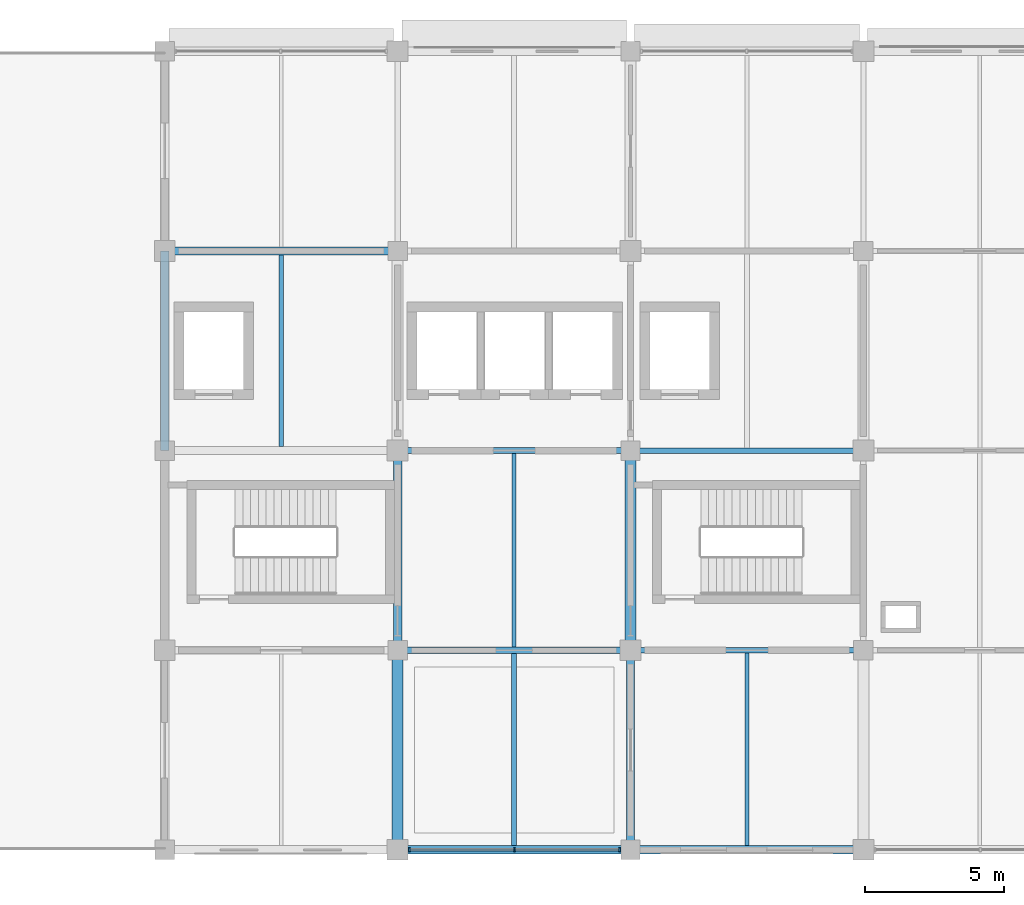
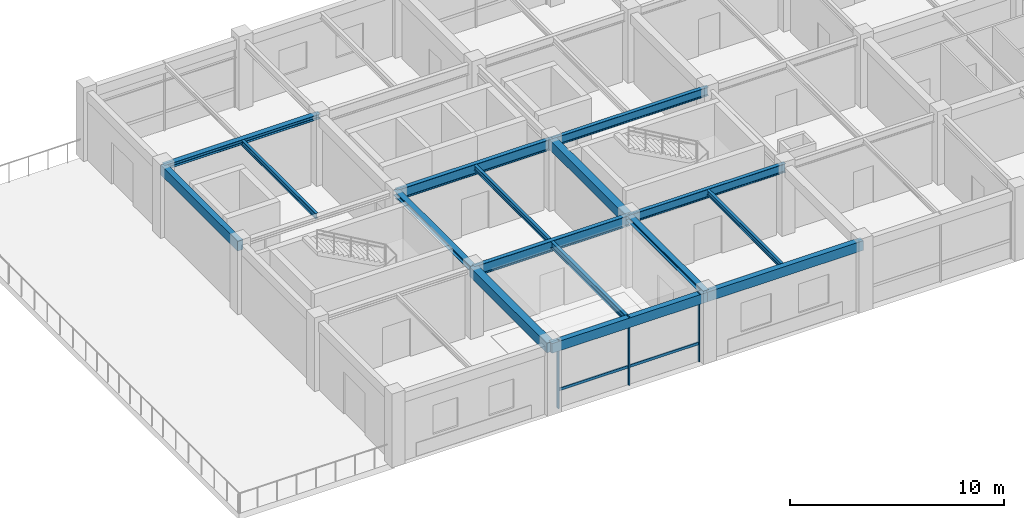
# One storey, part 2 of 10: 16 beams, 5 members, 1 element without a shape of its own.
"""IFC4 building model written with IfcOpenShell, lengths in metres."""

from ifc_helpers import new_model, si_unit, derived_unit, direction, frame, origin, origin_2d, place, context, subcontext, project, spatial, rectangle, i_section, extrude, material, material_profile, profile_set, type_object, element, aggregate, save


model = new_model("IFC4")

# Units and contexts
model_context = context("Model", 3, precision=1e-05, world=origin(), true_north=direction((0.0, 1.0)))
body_context = subcontext(model_context, "Body", "Model", "MODEL_VIEW")
ifc_project = project(units=[si_unit("LENGTHUNIT", "METRE"), si_unit("AREAUNIT", "SQUARE_METRE"), si_unit("VOLUMEUNIT", "CUBIC_METRE"), si_unit("PLANEANGLEUNIT", "RADIAN"), si_unit("MASSUNIT", "GRAM", prefix="KILO"), derived_unit("THERMALTRANSMITTANCEUNIT", [(si_unit("MASSUNIT", "GRAM", prefix="KILO"), 1), (si_unit("TIMEUNIT", "SECOND"), -3), (si_unit("THERMODYNAMICTEMPERATUREUNIT", "KELVIN"), -1)])], contexts=[model_context])

# Site, building, storey
site_placement = place(None, origin())
site = spatial("IfcSite", under=ifc_project, at=site_placement, CompositionType="ELEMENT")
building_placement = place(site_placement, origin())
building = spatial("IfcBuilding", under=site, at=building_placement, Name="Veldstrom Oceanarium and Marine Research Institute", CompositionType="ELEMENT")
storey_placement = place(building_placement, frame((0.0, 0.0, 43.800048828125)))
storey = spatial("IfcBuildingStorey", under=building, at=storey_placement, Name="L09", CompositionType="ELEMENT", Elevation=43.800048828125)

# Curtain wall, members
ifc_material_1 = material(Name="Anodised Aluminium Framing", Category="aluminium")
curtain_wall_type = type_object("IfcCurtainWallType", Name="ARC-CW-CW04", PredefinedType="USERDEFINED", material=ifc_material_1)
curtain_wall_placement = place(storey_placement, origin())
curtain_wall = element("IfcCurtainWall", 1, at=curtain_wall_placement, inside=storey, type_object=curtain_wall_type, Name="Curtain Wall CW04 CW-L09-135", ObjectType="Curtain wall", PredefinedType="USERDEFINED")
ifc_material_2 = material(Name="Anodised Aluminium Framing", Category="aluminium")
ifc_material_profile_1 = material_profile(ifc_material_2, rectangle(XDim=0.06494140625, YDim=0.14990234375, at=origin_2d()), Name="ALU-MUL-65x150")
ifc_profile_set_1 = profile_set([ifc_material_profile_1], Name="Anodised Aluminium Framing")
member_type_1 = type_object("IfcMemberType", Name="ARC-MUL-ML2", PredefinedType="MULLION", material=ifc_profile_set_1)
member_1_placement = place(storey_placement, frame((84.4150390625, 43.199951171875, 0.0), z_axis=(0.0, 0.0, 1.0), x_axis=(1.0, 0.0, 0.0)))
member_1 = element("IfcMember", 2, at=member_1_placement, type_object=member_type_1, Name="Curtain Wall Mullion CW-L09-135-MUL-1", PredefinedType="MULLION", context=body_context, shape_type="SweptSolid", body=[
    extrude(rectangle(XDim=0.06494140625, YDim=0.14990234375, at=origin_2d()), origin(), (0.0, 0.0, 1.0), 3.89990234375),
])
member_2_placement = place(storey_placement, frame((88.21240234375, 43.199951171875, 0.0), z_axis=(0.0, 0.0, 1.0), x_axis=(1.0, 0.0, 0.0)))
member_2 = element("IfcMember", 3, at=member_2_placement, type_object=member_type_1, Name="Curtain Wall Mullion CW-L09-135-MUL-2", PredefinedType="MULLION", context=body_context, shape_type="SweptSolid", body=[
    extrude(rectangle(XDim=0.06494140625, YDim=0.14990234375, at=origin_2d()), origin(), (0.0, 0.0, 1.0), 3.89990234375),
])
member_3_placement = place(storey_placement, frame((92.010009765625, 43.199951171875, 0.0), z_axis=(0.0, 0.0, 1.0), x_axis=(1.0, 0.0, 0.0)))
member_3 = element("IfcMember", 4, at=member_3_placement, type_object=member_type_1, Name="Curtain Wall Mullion CW-L09-135-MUL-3", PredefinedType="MULLION", context=body_context, shape_type="SweptSolid", body=[
    extrude(rectangle(XDim=0.06494140625, YDim=0.14990234375, at=origin_2d()), origin(), (0.0, 0.0, 1.0), 3.89990234375),
])
ifc_material_3 = material(Name="Anodised Aluminium Framing", Category="aluminium")
ifc_material_profile_2 = material_profile(ifc_material_3, rectangle(XDim=0.074951171875, YDim=0.14990234375, at=origin_2d()), Name="ALU-TRN-75x150")
ifc_profile_set_2 = profile_set([ifc_material_profile_2], Name="Anodised Aluminium Framing")
member_type_2 = type_object("IfcMemberType", Name="ARC-TRN-TR1", PredefinedType="USERDEFINED", material=ifc_profile_set_2)
member_4_placement = place(storey_placement, frame((84.455078125, 43.199951171875, 1.050048828125), z_axis=(1.0, 0.0, 0.0), x_axis=(0.0, 1.0, 0.0)))
member_4 = element("IfcMember", 5, at=member_4_placement, type_object=member_type_2, Name="Curtain Wall Transom CW-L09-135-TRN-1", ObjectType="Transom", PredefinedType="USERDEFINED", context=body_context, shape_type="SweptSolid", body=[
    extrude(rectangle(XDim=0.074951171875, YDim=0.14990234375, at=origin_2d()), origin(), (0.0, 0.0, 1.0), 3.717529296875),
])
member_5_placement = place(storey_placement, frame((88.25244140625, 43.199951171875, 1.050048828125), z_axis=(1.0, 0.0, 0.0), x_axis=(0.0, 1.0, 0.0)))
member_5 = element("IfcMember", 6, at=member_5_placement, type_object=member_type_2, Name="Curtain Wall Transom CW-L09-135-TRN-2", ObjectType="Transom", PredefinedType="USERDEFINED", context=body_context, shape_type="SweptSolid", body=[
    extrude(rectangle(XDim=0.074951171875, YDim=0.14990234375, at=origin_2d()), origin(), (0.0, 0.0, 1.0), 3.717529296875),
])
aggregate(curtain_wall, [member_1, member_2, member_3, member_4, member_5])

# Beams
ifc_material_4 = material(Name="Concrete C40/50", Category="concrete")
ifc_material_profile_3 = material_profile(ifc_material_4, rectangle(XDim=0.39990234375, YDim=0.550048828125, at=origin_2d()), Name="RC-BM-400x550")
ifc_profile_set_3 = profile_set([ifc_material_profile_3], Name="Concrete C40/50")
beam_type_1 = type_object("IfcBeamType", Name="STR-BM-B07", PredefinedType="BEAM", material=ifc_profile_set_3)
beam_1_placement = place(storey_placement, frame((84.0, 43.199951171875, 3.619873046875), z_axis=(0.0, 1.0, 0.0), x_axis=(-1.0, 0.0, 0.0)))
element("IfcBeam", 7, at=beam_1_placement, inside=storey, type_object=beam_type_1, Name="Primary Beam B07 L09-2502", PredefinedType="BEAM", context=body_context, shape_type="SweptSolid", body=[
    extrude(rectangle(XDim=0.39990234375, YDim=0.550048828125, at=origin_2d()), origin(), (0.0, 0.0, 1.0), 7.199951171875),
])
beam_2_placement = place(storey_placement, frame((92.39990234375, 50.39990234375, 3.619873046875), z_axis=(0.0, 1.0, 0.0), x_axis=(-1.0, 0.0, 0.0)))
element("IfcBeam", 8, at=beam_2_placement, inside=storey, type_object=beam_type_1, Name="Primary Beam B07 L09-2507", PredefinedType="BEAM", context=body_context, shape_type="SweptSolid", body=[
    extrude(rectangle(XDim=0.39990234375, YDim=0.550048828125, at=origin_2d()), origin(), (0.0, 0.0, 1.0), 7.2001953125),
])
ifc_material_5 = material(Name="Steel S355JR", Category="steel")
ifc_material_profile_4 = material_profile(ifc_material_5, i_section(OverallWidth=0.300048828125, OverallDepth=0.2900390625, WebThickness=0.008544921875, FlangeThickness=0.013916015625, FilletRadius=0.027099609375, at=origin_2d()), Name="HEA 300")
ifc_profile_set_4 = profile_set([ifc_material_profile_4], Name="Steel S355JR")
beam_type_2 = type_object("IfcBeamType", Name="STR-BM-SB10", PredefinedType="BEAM", material=ifc_profile_set_4)
beam_3_placement = place(storey_placement, frame((84.0, 50.39990234375, 3.75), z_axis=(0.0, 1.0, 0.0), x_axis=(-1.0, 0.0, 0.0)))
element("IfcBeam", 9, at=beam_3_placement, inside=storey, type_object=beam_type_2, Name="Steel Tie Beam SB10 L09-2503", PredefinedType="BEAM", context=body_context, shape_type="SweptSolid", body=[
    extrude(i_section(OverallWidth=0.300048828125, OverallDepth=0.2900390625, WebThickness=0.008544921875, FlangeThickness=0.013916015625, FilletRadius=0.027099609375, at=origin_2d()), origin(), (0.0, 0.0, 1.0), 7.2001953125),
])
beam_4_placement = place(storey_placement, frame((92.39990234375, 43.199951171875, 3.75), z_axis=(0.0, 1.0, 0.0), x_axis=(-1.0, 0.0, 0.0)))
element("IfcBeam", 10, at=beam_4_placement, inside=storey, type_object=beam_type_2, Name="Steel Tie Beam SB10 L09-2506", PredefinedType="BEAM", context=body_context, shape_type="SweptSolid", body=[
    extrude(i_section(OverallWidth=0.300048828125, OverallDepth=0.2900390625, WebThickness=0.008544921875, FlangeThickness=0.013916015625, FilletRadius=0.027099609375, at=origin_2d()), origin(), (0.0, 0.0, 1.0), 7.199951171875),
])
ifc_material_6 = material(Name="Steel S355JR", Category="steel")
ifc_material_profile_5 = material_profile(ifc_material_6, i_section(OverallWidth=0.280029296875, OverallDepth=0.27001953125, WebThickness=0.008056640625, FlangeThickness=0.012939453125, FilletRadius=0.02392578125, at=origin_2d()), Name="HEA 280")
ifc_profile_set_5 = profile_set([ifc_material_profile_5], Name="Steel S355JR")
beam_type_3 = type_object("IfcBeamType", Name="STR-BM-SB11", PredefinedType="BEAM", material=ifc_profile_set_5)
beam_5_placement = place(storey_placement, frame((75.60009765625, 64.800048828125, 3.760009765625), z_axis=(1.0, 0.0, 0.0), x_axis=(0.0, 1.0, 0.0)))
element("IfcBeam", 11, at=beam_5_placement, inside=storey, type_object=beam_type_3, Name="Steel Floor Girder SB11 L09-2476", PredefinedType="BEAM", context=body_context, shape_type="SweptSolid", body=[
    extrude(i_section(OverallWidth=0.280029296875, OverallDepth=0.27001953125, WebThickness=0.008056640625, FlangeThickness=0.012939453125, FilletRadius=0.02392578125, at=origin_2d()), origin(), (0.0, 0.0, 1.0), 8.39990234375),
])
ifc_material_7 = material(Name="Steel S355JR", Category="steel")
ifc_material_profile_6 = material_profile(ifc_material_7, i_section(OverallWidth=0.219970703125, OverallDepth=0.60009765625, WebThickness=0.011962890625, FlangeThickness=0.01904296875, FilletRadius=0.02392578125, at=origin_2d()), Name="IPE 600")
ifc_profile_set_6 = profile_set([ifc_material_profile_6], Name="Steel S355JR")
beam_type_4 = type_object("IfcBeamType", Name="STR-BM-SB5", PredefinedType="BEAM", material=ifc_profile_set_6)
for number, where, z_axis, x_axis, name in (
    (12, (84.0, 50.39990234375, 3.594970703125), (1.0, 0.0, 0.0), (0.0, 1.0, 0.0), "Steel Floor Girder SB5 L09-2479"),
    (13, (84.0, 57.60009765625, 3.594970703125), (1.0, 0.0, 0.0), (0.0, 1.0, 0.0), "Steel Floor Girder SB5 L09-2480"),
):
    element("IfcBeam", number, at=place(storey_placement, frame(where, z_axis=z_axis, x_axis=x_axis)), inside=storey, type_object=beam_type_4, Name=name, PredefinedType="BEAM", context=body_context, shape_type="SweptSolid", body=[
        extrude(i_section(OverallWidth=0.219970703125, OverallDepth=0.60009765625, WebThickness=0.011962890625, FlangeThickness=0.01904296875, FilletRadius=0.02392578125, at=origin_2d()), origin(), (0.0, 0.0, 1.0), 8.39990234375),
    ])
ifc_material_8 = material(Name="Steel S355JR", Category="steel")
ifc_material_profile_7 = material_profile(ifc_material_8, i_section(OverallWidth=0.199951171875, OverallDepth=0.5, WebThickness=0.01025390625, FlangeThickness=0.01611328125, FilletRadius=0.02099609375, at=origin_2d()), Name="IPE 500")
ifc_profile_set_7 = profile_set([ifc_material_profile_7], Name="Steel S355JR")
beam_type_5 = type_object("IfcBeamType", Name="STR-BM-SB6", PredefinedType="BEAM", material=ifc_profile_set_7)
for number, where, z_axis, x_axis, name in (
    (14, (92.39990234375, 50.39990234375, 3.64501953125), (1.0, 0.0, 0.0), (0.0, 1.0, 0.0), "Steel Floor Girder SB6 L09-2484"),
    (15, (92.39990234375, 57.60009765625, 3.64501953125), (1.0, 0.0, 0.0), (0.0, 1.0, 0.0), "Steel Floor Girder SB6 L09-2485"),
):
    element("IfcBeam", number, at=place(storey_placement, frame(where, z_axis=z_axis, x_axis=x_axis)), inside=storey, type_object=beam_type_5, Name=name, PredefinedType="BEAM", context=body_context, shape_type="SweptSolid", body=[
        extrude(i_section(OverallWidth=0.199951171875, OverallDepth=0.5, WebThickness=0.01025390625, FlangeThickness=0.01611328125, FilletRadius=0.02099609375, at=origin_2d()), origin(), (0.0, 0.0, 1.0), 8.400146484375),
    ])
ifc_material_9 = material(Name="Steel S355JR", Category="steel")
ifc_material_profile_8 = material_profile(ifc_material_9, i_section(OverallWidth=0.169921875, OverallDepth=0.360107421875, WebThickness=0.008056640625, FlangeThickness=0.0126953125, FilletRadius=0.01806640625, at=origin_2d()), Name="IPE 360")
ifc_profile_set_8 = profile_set([ifc_material_profile_8], Name="Steel S355JR")
beam_type_6 = type_object("IfcBeamType", Name="STR-JST-SJ1", PredefinedType="JOIST", material=ifc_profile_set_8)
beam_6_placement = place(storey_placement, frame((88.199951171875, 43.35009765625, 3.71484375), z_axis=(0.0, 1.0, 0.0), x_axis=(-1.0, 0.0, 0.0)))
element("IfcBeam", 16, at=beam_6_placement, inside=storey, type_object=beam_type_6, Name="Secondary Joist SJ1 L09-2525", PredefinedType="JOIST", context=body_context, shape_type="SweptSolid", body=[
    extrude(i_section(OverallWidth=0.169921875, OverallDepth=0.360107421875, WebThickness=0.008056640625, FlangeThickness=0.0126953125, FilletRadius=0.01806640625, at=origin_2d()), origin(), (0.0, 0.0, 1.0), 6.93994140625),
])
ifc_material_10 = material(Name="Steel S355JR", Category="steel")
ifc_material_profile_9 = material_profile(ifc_material_10, i_section(OverallWidth=0.14990234375, OverallDepth=0.300048828125, WebThickness=0.007080078125, FlangeThickness=0.0107421875, FilletRadius=0.014892578125, at=origin_2d()), Name="IPE 300")
ifc_profile_set_9 = profile_set([ifc_material_profile_9], Name="Steel S355JR")
beam_type_7 = type_object("IfcBeamType", Name="STR-JST-SJ2", PredefinedType="JOIST", material=ifc_profile_set_9)
beam_7_placement = place(storey_placement, frame((79.800048828125, 57.739990234375, 3.744873046875), z_axis=(0.0, 1.0, 0.0), x_axis=(-1.0, 0.0, 0.0)))
element("IfcBeam", 17, at=beam_7_placement, inside=storey, type_object=beam_type_7, Name="Secondary Joist SJ2 L09-2523", PredefinedType="JOIST", context=body_context, shape_type="SweptSolid", body=[
    extrude(i_section(OverallWidth=0.14990234375, OverallDepth=0.300048828125, WebThickness=0.007080078125, FlangeThickness=0.0107421875, FilletRadius=0.014892578125, at=origin_2d()), origin(), (0.0, 0.0, 1.0), 6.919921875),
])
beam_8_placement = place(storey_placement, frame((88.199951171875, 50.510009765625, 3.744873046875), z_axis=(0.0, 1.0, 0.0), x_axis=(-1.0, 0.0, 0.0)))
element("IfcBeam", 18, at=beam_8_placement, inside=storey, type_object=beam_type_7, Name="Secondary Joist SJ2 L09-2526", PredefinedType="JOIST", context=body_context, shape_type="SweptSolid", body=[
    extrude(i_section(OverallWidth=0.14990234375, OverallDepth=0.300048828125, WebThickness=0.007080078125, FlangeThickness=0.0107421875, FilletRadius=0.014892578125, at=origin_2d()), origin(), (0.0, 0.0, 1.0), 6.97998046875),
])
beam_9_placement = place(storey_placement, frame((96.60009765625, 43.35009765625, 3.744873046875), z_axis=(0.0, 1.0, 0.0), x_axis=(-1.0, 0.0, 0.0)))
element("IfcBeam", 19, at=beam_9_placement, inside=storey, type_object=beam_type_7, Name="Secondary Joist SJ2 L09-2528", PredefinedType="JOIST", context=body_context, shape_type="SweptSolid", body=[
    extrude(i_section(OverallWidth=0.14990234375, OverallDepth=0.300048828125, WebThickness=0.007080078125, FlangeThickness=0.0107421875, FilletRadius=0.014892578125, at=origin_2d()), origin(), (0.0, 0.0, 1.0), 6.949951171875),
])
ifc_material_11 = material(Name="Concrete C40/50", Category="concrete")
ifc_material_profile_10 = material_profile(ifc_material_11, rectangle(XDim=0.300048828125, YDim=0.550048828125, at=origin_2d()), Name="RC-SPN-300x550")
ifc_profile_set_10 = profile_set([ifc_material_profile_10], Name="Concrete C40/50")
beam_type_8 = type_object("IfcBeamType", Name="STR-SPN-SP2", PredefinedType="SPANDREL", material=ifc_profile_set_10)
beam_10_placement = place(storey_placement, frame((84.0, 43.199951171875, 3.619873046875), z_axis=(1.0, 0.0, 0.0), x_axis=(0.0, 1.0, 0.0)))
element("IfcBeam", 20, at=beam_10_placement, inside=storey, type_object=beam_type_8, Name="Perimeter Spandrel SPB2 L09-2478", PredefinedType="SPANDREL", context=body_context, shape_type="SweptSolid", body=[
    extrude(rectangle(XDim=0.300048828125, YDim=0.550048828125, at=origin_2d()), origin(), (0.0, 0.0, 1.0), 8.39990234375),
])
beam_11_placement = place(storey_placement, frame((92.39990234375, 43.199951171875, 3.619873046875), z_axis=(1.0, 0.0, 0.0), x_axis=(0.0, 1.0, 0.0)))
element("IfcBeam", 21, at=beam_11_placement, inside=storey, type_object=beam_type_8, Name="Perimeter Spandrel SPB2 L09-2483", PredefinedType="SPANDREL", context=body_context, shape_type="SweptSolid", body=[
    extrude(rectangle(XDim=0.300048828125, YDim=0.550048828125, at=origin_2d()), origin(), (0.0, 0.0, 1.0), 8.400146484375),
])
beam_12_placement = place(storey_placement, frame((75.60009765625, 57.60009765625, 3.619873046875), z_axis=(0.0, 1.0, 0.0), x_axis=(-1.0, 0.0, 0.0)))
element("IfcBeam", 22, at=beam_12_placement, inside=storey, type_object=beam_type_8, Name="Perimeter Spandrel SPB2 L09-2500", PredefinedType="SPANDREL", context=body_context, shape_type="SweptSolid", body=[
    extrude(rectangle(XDim=0.300048828125, YDim=0.550048828125, at=origin_2d()), origin(), (0.0, 0.0, 1.0), 7.199951171875),
])

save(model, "model.ifc")
